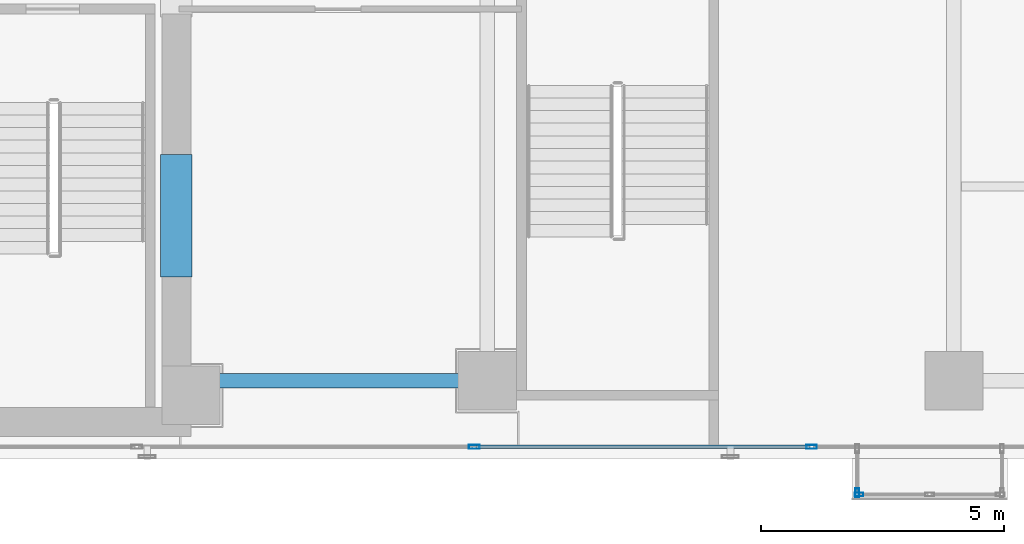
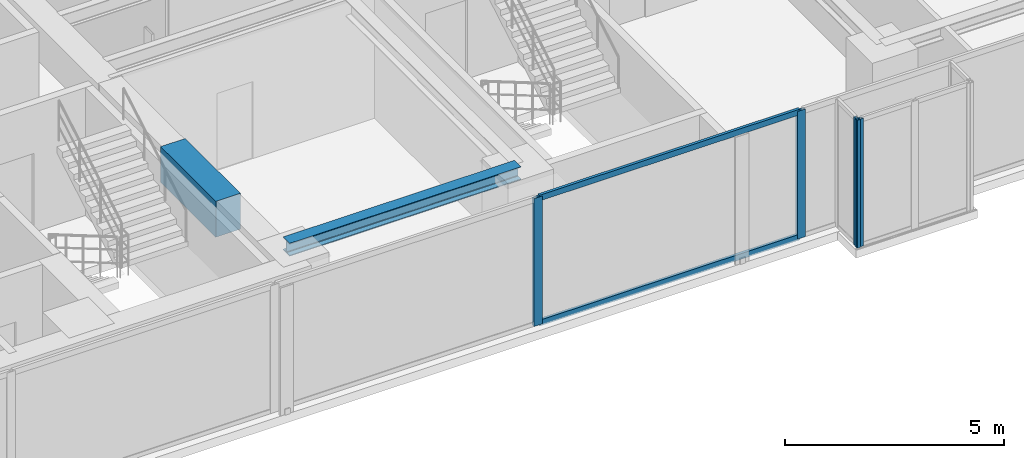
# One storey, part 4 of 27: 6 members, 2 beams, 3 elements without a shape of their own.
"""IFC4 building model written with IfcOpenShell, lengths in metres."""

from ifc_helpers import new_model, si_unit, direction, frame, origin, origin_with_axes, origin_2d, place, context, subcontext, project, spatial, rectangle, hollow_rectangle, i_section, extrude, source, transform, mapped, material, layer, layer_set, material_profile, profile_set, type_object, element, aggregate, save


model = new_model("IFC4")

# Units and contexts
model_context = context("Model", 3, precision=1e-05, world=origin(), true_north=direction((0.0, 1.0)))
body_context = subcontext(model_context, "Body", "Model", "MODEL_VIEW")
ifc_project = project(units=[si_unit("LENGTHUNIT", "METRE"), si_unit("AREAUNIT", "SQUARE_METRE"), si_unit("VOLUMEUNIT", "CUBIC_METRE"), si_unit("PLANEANGLEUNIT", "RADIAN"), si_unit("MASSUNIT", "GRAM", prefix="KILO")], contexts=[model_context])

# Site, building, storey
site_placement = place(None, origin())
site = spatial("IfcSite", under=ifc_project, at=site_placement, CompositionType="ELEMENT")
building_placement = place(site_placement, origin())
building = spatial("IfcBuilding", under=site, at=building_placement, Name="Kolvaren Waterfront Exchange", CompositionType="ELEMENT")
storey_placement = place(building_placement, frame((0.0, 0.0, 176.60009765625)))
storey = spatial("IfcBuildingStorey", under=building, at=storey_placement, Name="L45", CompositionType="ELEMENT", Elevation=176.60009765625)

# Beams
ifc_material_1 = material(Name="Steel S355", Category="steel")
ifc_material_profile_1 = material_profile(ifc_material_1, i_section(OverallWidth=0.300048828125, OverallDepth=0.360107421875, WebThickness=0.012451171875, FlangeThickness=0.0224609375, FilletRadius=0.027099609375, at=origin_2d()), Name="HEB360")
ifc_profile_set_1 = profile_set([ifc_material_profile_1], Name="Steel S355")
beam_type_1 = type_object("IfcBeamType", Name="STR-BM-HEB360", PredefinedType="SPANDREL", material=ifc_profile_set_1)
beam_1_placement = place(storey_placement, frame((21.10009765625, 5.199951171875, 3.3798828125), z_axis=(1.0, 0.0, 0.0), x_axis=(0.0, 1.0, 0.0)))
element("IfcBeam", 1, at=beam_1_placement, inside=storey, type_object=beam_type_1, Name="L45 east-arm spandrel S1", PredefinedType="SPANDREL", context=body_context, shape_type="SweptSolid", body=[
    extrude(i_section(OverallWidth=0.300048828125, OverallDepth=0.360107421875, WebThickness=0.012451171875, FlangeThickness=0.0224609375, FilletRadius=0.027099609375, at=origin_2d()), origin(), (0.0, 0.0, 1.0), 6.099853515625),
])
ifc_material_2 = material(Name="Concrete C60/75", Category="concrete")
ifc_material_profile_2 = material_profile(ifc_material_2, rectangle(XDim=0.64990234375, YDim=1.0, at=origin_2d()), Name="RC-CB-1000x650")
ifc_profile_set_2 = profile_set([ifc_material_profile_2], Name="Concrete C60/75")
beam_type_2 = type_object("IfcBeamType", Name="STR-CB-1000", PredefinedType="SPANDREL", material=ifc_profile_set_2)
beam_2_placement = place(storey_placement, frame((20.800048828125, 7.340087890625, 3.059814453125), z_axis=(0.0, 1.0, 0.0), x_axis=(-1.0, 0.0, 0.0)))
element("IfcBeam", 2, at=beam_2_placement, inside=storey, type_object=beam_type_2, Name="L45 core coupling beam 1", PredefinedType="SPANDREL", context=body_context, shape_type="SweptSolid", body=[
    extrude(rectangle(XDim=0.64990234375, YDim=1.0, at=origin_2d()), origin(), (0.0, 0.0, 1.0), 2.52001953125),
])

# Curtain wall, members
ifc_material_3 = material(Name="Anodised bronze aluminium 6063-T6", Category="aluminium")
ifc_layer_1 = layer(ifc_material_3, 0.219970703125, Name="Anodised bronze aluminium 6063-T6")
ifc_layer_set_1 = layer_set([ifc_layer_1], Name="Anodised bronze aluminium 6063-T6")
curtain_wall_type_1 = type_object("IfcCurtainWallType", Name="ARC-CW-SYS1", PredefinedType="USERDEFINED", material=ifc_layer_set_1)
curtain_wall_1_placement = place(storey_placement, origin())
curtain_wall_1 = element("IfcCurtainWall", 3, at=curtain_wall_1_placement, inside=storey, type_object=curtain_wall_type_1, Name="L45 stick curtain wall CW1 (CW-L45-S)", ObjectType="STICK CURTAIN WALL", PredefinedType="USERDEFINED")
ifc_material_4 = material(Name="Anodised aluminium 6063-T6", Category="aluminium")
ifc_material_profile_3 = material_profile(ifc_material_4, hollow_rectangle(XDim=0.074951171875, YDim=0.159912109375, WallThickness=0.00439453125, at=origin_2d()), Name="ALU-TRN-160x75x4.5")
ifc_profile_set_3 = profile_set([ifc_material_profile_3], Name="Anodised aluminium 6063-T6")
member_type_1 = type_object("IfcMemberType", Name="ARC-CWT-160", PredefinedType="USERDEFINED", material=ifc_profile_set_3)
shared_shape_1 = source(origin_with_axes(), body_context, "Body", "SweptSolid", [
    extrude(hollow_rectangle(XDim=0.074951171875, YDim=0.159912109375, WallThickness=0.00439453125, at=origin_2d()), origin(), (0.0, 0.0, 1.0), 6.863037109375),
])
member_1_placement = place(storey_placement, frame((26.968505859375, 3.840087890625, 0.037353515625), z_axis=(1.0, 0.0, 0.0), x_axis=(0.0, 1.0, 0.0)))
member_1 = element("IfcMember", 4, at=member_1_placement, type_object=member_type_1, Name="CW1 transom 4.1", ObjectType="TRANSOM", PredefinedType="USERDEFINED", context=body_context, shape_type="MappedRepresentation", body=[
    mapped(shared_shape_1, transform((0.0, 0.0, 0.0), x_axis=(1.0, 0.0, 0.0), y_axis=(0.0, 1.0, 0.0), z_axis=(0.0, 0.0, 1.0), scale=1.0)),
])
member_2_placement = place(storey_placement, frame((26.968505859375, 3.840087890625, 3.5224609375), z_axis=(1.0, 0.0, 0.0), x_axis=(0.0, 1.0, 0.0)))
member_2 = element("IfcMember", 5, at=member_2_placement, type_object=member_type_1, Name="CW1 transom 4.2", ObjectType="TRANSOM", PredefinedType="USERDEFINED", context=body_context, shape_type="MappedRepresentation", body=[
    mapped(shared_shape_1, transform((0.0, 0.0, 0.0), x_axis=(1.0, 0.0, 0.0), y_axis=(0.0, 1.0, 0.0), z_axis=(0.0, 0.0, 1.0), scale=1.0)),
])

# Curtain wall, member
ifc_layer_2 = layer(ifc_material_3, 0.219970703125, Name="Anodised bronze aluminium 6063-T6")
ifc_layer_set_2 = layer_set([ifc_layer_2], Name="Anodised bronze aluminium 6063-T6")
curtain_wall_type_2 = type_object("IfcCurtainWallType", Name="ARC-CW-SYS3", PredefinedType="USERDEFINED", material=ifc_layer_set_2)
curtain_wall_2_placement = place(storey_placement, origin())
curtain_wall_2 = element("IfcCurtainWall", 6, at=curtain_wall_2_placement, inside=storey, type_object=curtain_wall_type_2, Name="L45 stick curtain wall CW3 (CW-L45-BOX-W)", ObjectType="STICK CURTAIN WALL", PredefinedType="USERDEFINED")
ifc_material_profile_4 = material_profile(ifc_material_3, hollow_rectangle(XDim=0.074951171875, YDim=0.179931640625, WallThickness=0.00439453125, at=origin_2d()), Name="ALU-MUL-180x75x4.5")
ifc_profile_set_4 = profile_set([ifc_material_profile_4], Name="Anodised bronze aluminium 6063-T6")
member_type_2 = type_object("IfcMemberType", Name="ARC-CWM-180", PredefinedType="MULLION", material=ifc_profile_set_4)
shared_shape_2 = source(origin_with_axes(), body_context, "Body", "SweptSolid", [
    extrude(hollow_rectangle(XDim=0.074951171875, YDim=0.179931640625, WallThickness=0.00439453125, at=origin_2d()), origin(), (0.0, 0.0, 1.0), 3.559814453125),
])
member_3_placement = place(storey_placement, frame((34.81005859375, 2.8974609375, 0.0), z_axis=(0.0, 0.0, 1.0), x_axis=(1.0, 0.0, 0.0)))
member_3 = element("IfcMember", 7, at=member_3_placement, type_object=member_type_2, Name="CW3 mullion 2", PredefinedType="MULLION", context=body_context, shape_type="MappedRepresentation", body=[
    mapped(shared_shape_2, transform((0.0, 0.0, 0.0), x_axis=(1.0, 0.0, 0.0), y_axis=(0.0, 1.0, 0.0), z_axis=(0.0, 0.0, 1.0), scale=1.0)),
])
aggregate(curtain_wall_2, [member_3])

curtain_wall_3_placement = place(storey_placement, origin())
curtain_wall_3 = element("IfcCurtainWall", 8, at=curtain_wall_3_placement, inside=storey, type_object=curtain_wall_type_2, Name="L45 stick curtain wall CW3 (CW-L45-BOX)", ObjectType="STICK CURTAIN WALL", PredefinedType="USERDEFINED")
member_4_placement = place(storey_placement, frame((34.847412109375, 2.860107421875, 0.0), z_axis=(0.0, 0.0, 1.0), x_axis=(0.0, 1.0, 0.0)))
member_4 = element("IfcMember", 9, at=member_4_placement, type_object=member_type_2, Name="CW3 mullion 1", PredefinedType="MULLION", context=body_context, shape_type="MappedRepresentation", body=[
    mapped(shared_shape_2, transform((0.0, 0.0, 0.0), x_axis=(1.0, 0.0, 0.0), y_axis=(0.0, 1.0, 0.0), z_axis=(0.0, 0.0, 1.0), scale=1.0)),
])
aggregate(curtain_wall_3, [member_4])

# Member
ifc_material_profile_5 = material_profile(ifc_material_4, hollow_rectangle(XDim=0.080078125, YDim=0.219970703125, WallThickness=0.0048828125, at=origin_2d()), Name="ALU-MUL-220x80x5")
ifc_profile_set_5 = profile_set([ifc_material_profile_5], Name="Anodised aluminium 6063-T6")
member_type_3 = type_object("IfcMemberType", Name="ARC-CWM-220", PredefinedType="MULLION", material=ifc_profile_set_5)
shared_shape_3 = source(origin_with_axes(), body_context, "Body", "SweptSolid", [
    extrude(hollow_rectangle(XDim=0.080078125, YDim=0.219970703125, WallThickness=0.0048828125, at=origin_2d()), origin(), (0.0, 0.0, 1.0), 3.559814453125),
])
member_5_placement = place(storey_placement, frame((26.928466796875, 3.840087890625, 0.0), z_axis=(0.0, 0.0, 1.0), x_axis=(0.0, 1.0, 0.0)))
member_5 = element("IfcMember", 10, at=member_5_placement, type_object=member_type_3, Name="CW1 mullion 4", PredefinedType="MULLION", context=body_context, shape_type="MappedRepresentation", body=[
    mapped(shared_shape_3, transform((0.0, 0.0, 0.0), x_axis=(1.0, 0.0, 0.0), y_axis=(0.0, 1.0, 0.0), z_axis=(0.0, 0.0, 1.0), scale=1.0)),
])

member_6_placement = place(storey_placement, frame((33.871337890625, 3.840087890625, 0.0), z_axis=(0.0, 0.0, 1.0), x_axis=(0.0, 1.0, 0.0)))
member_6 = element("IfcMember", 11, at=member_6_placement, type_object=member_type_3, Name="CW1 mullion 5", PredefinedType="MULLION", context=body_context, shape_type="MappedRepresentation", body=[
    mapped(shared_shape_3, transform((0.0, 0.0, 0.0), x_axis=(1.0, 0.0, 0.0), y_axis=(0.0, 1.0, 0.0), z_axis=(0.0, 0.0, 1.0), scale=1.0)),
])

aggregate(curtain_wall_1, [member_5, member_6, member_1, member_2])

save(model, "model.ifc")
